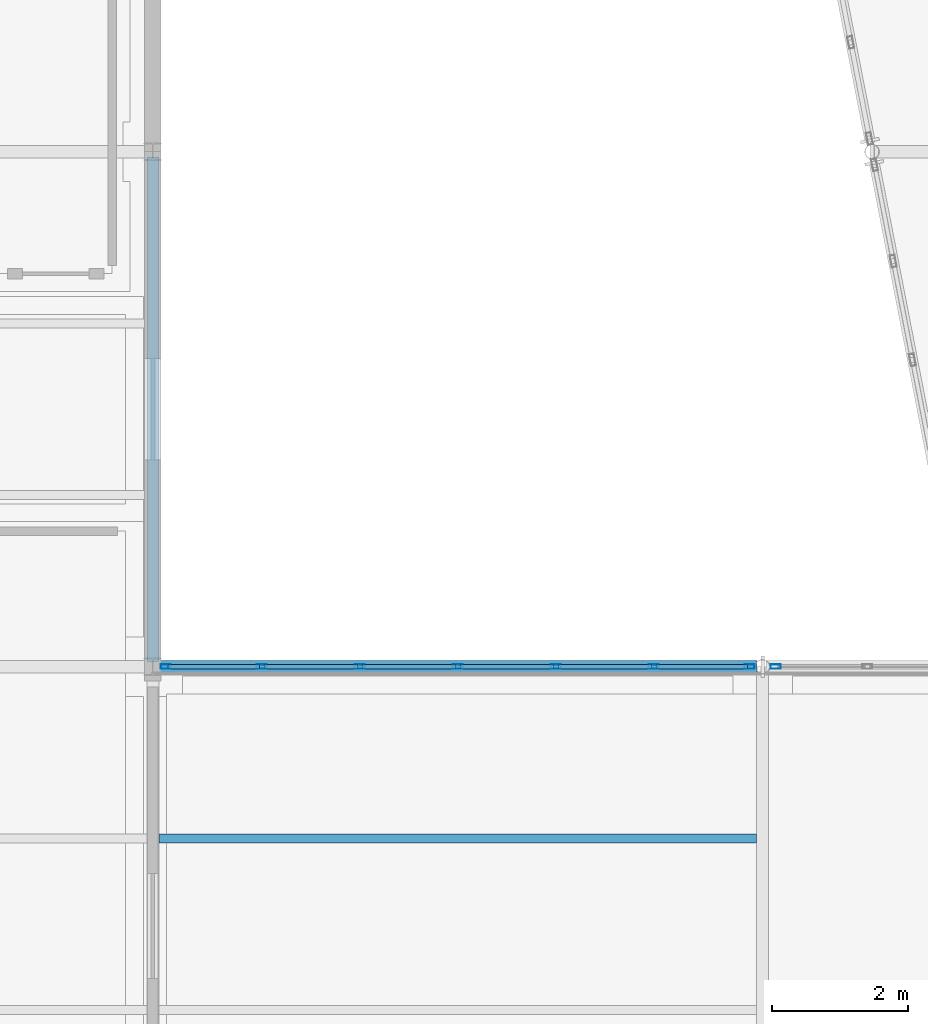
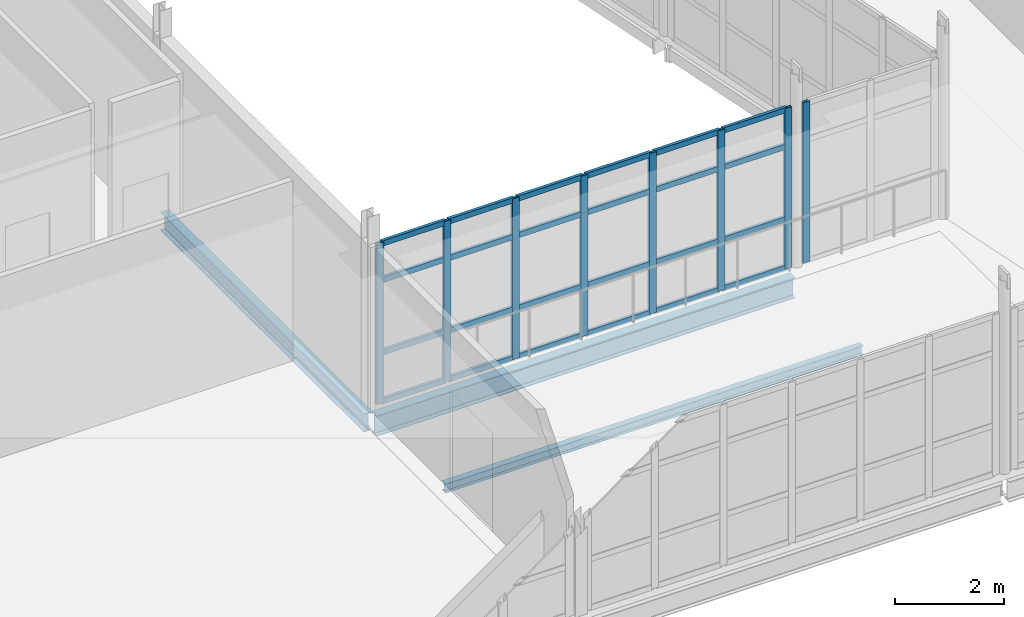
# One storey, part 91 of 166: 32 members, 3 beams, 2 elements without a shape of their own.
"""IFC4 building model written with IfcOpenShell, lengths in metres."""

import ifcopenshell
import ifcopenshell.guid

model = None  # the IFC model being written
_history = None  # IfcOwnerHistory: only IFC2X3 demands one
_inside = {}  # id of a spatial element -> (the spatial element, [elements in it])
_under = {}  # id of a project, library or spatial element -> (it, [spatial elements below it])
_declared = {}  # id of a project -> (the project, [libraries it declares])
_typed = {}  # id of a type object -> (the type object, [elements of that type])
_made_of = {}  # id of a material, layer set ... -> (it, [elements and type objects made of it])


def new_model(schema):
    """Start an empty IFC model of exactly this schema.

    Asked for "IFC4X3", IfcOpenShell would pick the latest addendum, in which some entities
    have other attributes; the version numbers below select the first issue.
    IFC2X3 requires an IfcOwnerHistory on every rooted entity: one is made here for all.
    """
    global model, _history
    if schema == "IFC4X3":
        model = ifcopenshell.file(schema_version=(4, 3, 0, 0))
    else:
        model = ifcopenshell.file(schema=schema)
    _inside.clear()
    _under.clear()
    _declared.clear()
    _typed.clear()
    _made_of.clear()
    _history = None
    if model.schema == "IFC2X3":
        org = make("IfcOrganization", Name="unknown")
        user = make(
            "IfcPersonAndOrganization",
            ThePerson=make("IfcPerson", FamilyName="unknown"),
            TheOrganization=org,
        )
        app = make(
            "IfcApplication",
            ApplicationDeveloper=org,
            Version="unknown",
            ApplicationFullName="unknown",
            ApplicationIdentifier="unknown",
        )
        _history = make(
            "IfcOwnerHistory",
            OwningUser=user,
            OwningApplication=app,
            ChangeAction="ADDED",
            CreationDate=0,
        )
    return model


def make(cls, **values):
    """One entity of the class cls with the attributes given. An attribute that is None is left unset."""
    return model.create_entity(
        cls, **{name: value for name, value in values.items() if value is not None}
    )


def rooted(cls, **values):
    """An entity with a GlobalId (a new one), such as an element, a storey or a relation."""
    return make(cls, GlobalId=ifcopenshell.guid.new(), OwnerHistory=_history, **values)


def si_unit(unit_type, name, prefix=None):
    """IfcSIUnit, for example si_unit("LENGTHUNIT", "METRE", prefix="MILLI")."""
    return make("IfcSIUnit", UnitType=unit_type, Prefix=prefix, Name=name)


def assignment(units):
    """IfcUnitAssignment: the units of a project."""
    return None if units is None else make("IfcUnitAssignment", Units=units)


def point(xyz):
    """IfcCartesianPoint."""
    return None if xyz is None else make("IfcCartesianPoint", Coordinates=xyz)


def direction(xyz):
    """IfcDirection."""
    return None if xyz is None else make("IfcDirection", DirectionRatios=xyz)


def frame(location, z_axis=None, x_axis=None):
    """IfcAxis2Placement3D, a coordinate frame: its origin and axes. An axis left out is left unset."""
    return make(
        "IfcAxis2Placement3D",
        Location=point(location),
        Axis=direction(z_axis),
        RefDirection=direction(x_axis),
    )


def frame_2d(location, x_axis=None):
    """IfcAxis2Placement2D, a coordinate frame in the plane: its origin and x axis."""
    return make(
        "IfcAxis2Placement2D", Location=point(location), RefDirection=direction(x_axis)
    )


def origin():
    """The frame at (0, 0, 0) with its axes left unset."""
    return frame((0.0, 0.0, 0.0))


def origin_2d():
    """The frame at (0, 0) in the plane with its x axis left unset."""
    return frame_2d((0.0, 0.0))


def place(relative_to, where):
    """IfcLocalPlacement: puts the frame where relative to a parent placement (None: the world)."""
    return make(
        "IfcLocalPlacement", PlacementRelTo=relative_to, RelativePlacement=where
    )


def context(
    kind, dimensions, precision=None, world=None, true_north=None, identifier=None
):
    """IfcGeometricRepresentationContext, for example the 3D "Model" context."""
    return make(
        "IfcGeometricRepresentationContext",
        ContextIdentifier=identifier,
        ContextType=kind,
        CoordinateSpaceDimension=dimensions,
        Precision=precision,
        WorldCoordinateSystem=world,
        TrueNorth=true_north,
    )


def subcontext(parent, identifier, kind, view, scale=None):
    """IfcGeometricRepresentationSubContext, for example "Body" below "Model"."""
    return make(
        "IfcGeometricRepresentationSubContext",
        ContextIdentifier=identifier,
        ContextType=kind,
        ParentContext=parent,
        TargetScale=scale,
        TargetView=view,
    )


def project(units=None, contexts=None):
    """IfcProject with its units and contexts."""
    return rooted(
        "IfcProject",
        Name="project",
        RepresentationContexts=contexts,
        UnitsInContext=assignment(units),
    )


def spatial(cls, under=None, at=None, **own):
    """A site, building, storey or space (cls), placed at a placement, below another one or the project."""
    s = rooted(cls, ObjectPlacement=at, **own)
    if under is not None:
        _under.setdefault(under.id(), (under, []))[1].append(s)
    return s


def profile(cls, at=None, kind="AREA", **sizes):
    """A parametric profile (cls). Its sizes go by their IFC names, for example OverallWidth=200.0."""
    return make(cls, ProfileType=kind, Position=at, **sizes)


def hollow_rectangle(**sizes):
    """IfcRectangleHollowProfileDef."""
    return profile("IfcRectangleHollowProfileDef", **sizes)


def i_section(**sizes):
    """IfcIShapeProfileDef."""
    return profile("IfcIShapeProfileDef", **sizes)


def extrude(swept, where, along, depth):
    """IfcExtrudedAreaSolid: the profile swept, set in the frame where, extruded along a direction by depth."""
    return make(
        "IfcExtrudedAreaSolid",
        SweptArea=swept,
        Position=where,
        ExtrudedDirection=direction(along),
        Depth=depth,
    )


def shape(context_of_items, identifier, shape_type, items):
    """IfcShapeRepresentation: the items that make up one representation, for example the "Body"."""
    return make(
        "IfcShapeRepresentation",
        ContextOfItems=context_of_items,
        RepresentationIdentifier=identifier,
        RepresentationType=shape_type,
        Items=items,
    )


def material(Name=None, Category=None):
    """IfcMaterial."""
    return make("IfcMaterial", Name=Name, Category=Category)


def material_profile(
    of_material, cross_section, Name=None, Category=None, Priority=None
):
    """IfcMaterialProfile: a cross section and its material."""
    return make(
        "IfcMaterialProfile",
        Name=Name,
        Material=of_material,
        Profile=cross_section,
        Priority=Priority,
        Category=Category,
    )


def profile_set(profiles, Name=None, composite=None):
    """IfcMaterialProfileSet."""
    return make(
        "IfcMaterialProfileSet",
        Name=Name,
        MaterialProfiles=profiles,
        CompositeProfile=composite,
    )


def made_of(thing, what):
    """Note that an element or type object is made of a material, layer set ...; save() writes the relation."""
    if what is not None:
        _made_of.setdefault(what.id(), (what, []))[1].append(thing)
    return thing


def type_object(cls, material=None, **own):
    """A type object (cls), such as IfcWallType, which elements share."""
    return made_of(rooted(cls, **own), material)


def element(
    cls,
    number,
    at=None,
    inside=None,
    cuts=None,
    type_object=None,
    material=None,
    context=None,
    identifier="Body",
    shape_type=None,
    held_by="IfcProductDefinitionShape",
    body=None,
    shapes=None,
    **own,
):
    """One element of the class cls, such as IfcWall. Its Tag is "e" and its number.

    at: its placement. inside: the storey or other place that contains it. cuts: it is an
    opening in that element (IfcRelVoidsElement). A single representation is given by context,
    identifier, shape_type and body (its items); several are given by shapes. held_by: the class
    of the entity that holds the representations. save() writes the other relations.
    """
    e = rooted(cls, Tag="e%d" % number, ObjectPlacement=at, **own)
    if body is not None:
        shapes = [shape(context, identifier, shape_type, body)]
    if shapes is not None:
        e.Representation = make(held_by, Representations=shapes)
    if inside is not None:
        _inside.setdefault(inside.id(), (inside, []))[1].append(e)
    if cuts is not None:
        rooted(
            "IfcRelVoidsElement", RelatingBuildingElement=cuts, RelatedOpeningElement=e
        )
    if type_object is not None:
        _typed.setdefault(type_object.id(), (type_object, []))[1].append(e)
    return made_of(e, material)


def aggregate(whole, parts):
    """IfcRelAggregates: a whole, such as a stair, and the parts it consists of."""
    return rooted("IfcRelAggregates", RelatingObject=whole, RelatedObjects=parts)


def save(model, path):
    """Write the relations noted so far, then the file.

    IfcRelAggregates (storeys below a building ...), IfcRelContainedInSpatialStructure (elements
    in a storey), IfcRelDefinesByType, IfcRelAssociatesMaterial and IfcRelDeclares: one each for
    every whole, place, type object, material and project.
    """
    for whole, parts in _under.values():
        aggregate(whole, parts)
    for where, things in _inside.values():
        rooted(
            "IfcRelContainedInSpatialStructure",
            RelatedElements=things,
            RelatingStructure=where,
        )
    for kind, things in _typed.values():
        rooted("IfcRelDefinesByType", RelatedObjects=things, RelatingType=kind)
    for what, things in _made_of.values():
        rooted("IfcRelAssociatesMaterial", RelatedObjects=things, RelatingMaterial=what)
    for by, libraries in _declared.values():
        rooted("IfcRelDeclares", RelatingContext=by, RelatedDefinitions=libraries)
    model.write(path)


model = new_model("IFC4")

# Units and contexts
model_context = context("Model", 3, precision=1e-05, world=origin(), true_north=direction((0.0, 1.0)))
body_context = subcontext(model_context, "Body", "Model", "MODEL_VIEW")
ifc_project = project(units=[si_unit("LENGTHUNIT", "METRE"), si_unit("AREAUNIT", "SQUARE_METRE"), si_unit("VOLUMEUNIT", "CUBIC_METRE"), si_unit("PLANEANGLEUNIT", "RADIAN"), si_unit("MASSUNIT", "GRAM", prefix="KILO")], contexts=[model_context])

# Site, building, storey
site_placement = place(None, origin())
site = spatial("IfcSite", under=ifc_project, at=site_placement, CompositionType="ELEMENT")
building_placement = place(site_placement, origin())
building = spatial("IfcBuilding", under=site, at=building_placement, Name="Caisbarro Railhouse Central Library", CompositionType="ELEMENT")
storey_placement = place(building_placement, frame((0.0, 0.0, 9.360107421875)))
storey = spatial("IfcBuildingStorey", under=building, at=storey_placement, Name="L02", CompositionType="ELEMENT", Elevation=9.360107421875)

# Beams
ifc_material_1 = material(Name="Steel ASTM A572 Grade 50", Category="steel")
ifc_material_profile_1 = material_profile(ifc_material_1, i_section(OverallWidth=0.177978515625, OverallDepth=0.406982421875, WebThickness=0.0078125, FlangeThickness=0.0126953125, FilletRadius=0.01611328125, at=origin_2d()), Name="W410X60.0")
ifc_profile_set_1 = profile_set([ifc_material_profile_1], Name="Steel ASTM A572 Grade 50")
beam_type_1 = type_object("IfcBeamType", Name="BM-G10", PredefinedType="BEAM", material=ifc_profile_set_1)
beam_1_placement = place(storey_placement, frame((99.0, 91.280029296875, -0.403564453125), z_axis=(0.0, 1.0, 0.0), x_axis=(-1.0, 0.0, 0.0)))
element("IfcBeam", 1, at=beam_1_placement, inside=storey, type_object=beam_type_1, Name="G10 beam L02 #1688", PredefinedType="BEAM", context=body_context, shape_type="SweptSolid", body=[
    extrude(i_section(OverallWidth=0.177978515625, OverallDepth=0.406982421875, WebThickness=0.0078125, FlangeThickness=0.0126953125, FilletRadius=0.01611328125, at=origin_2d()), origin(), (0.0, 0.0, 1.0), 7.43994140625),
])
ifc_material_profile_2 = material_profile(ifc_material_1, i_section(OverallWidth=0.133056640625, OverallDepth=0.20703125, WebThickness=0.005859375, FlangeThickness=0.00830078125, FilletRadius=0.010009765625, at=origin_2d()), Name="W200X26.6")
ifc_profile_set_2 = profile_set([ifc_material_profile_2], Name="Steel ASTM A572 Grade 50")
beam_type_2 = type_object("IfcBeamType", Name="BM-J07", PredefinedType="JOIST", material=ifc_profile_set_2)
beam_2_placement = place(storey_placement, frame((99.089111328125, 88.666748046875, -0.3037109375), z_axis=(1.0, 0.0, 0.0), x_axis=(0.0, 1.0, 0.0)))
element("IfcBeam", 2, at=beam_2_placement, inside=storey, type_object=beam_type_2, Name="J07 beam L02 #1736", PredefinedType="JOIST", context=body_context, shape_type="SweptSolid", body=[
    extrude(i_section(OverallWidth=0.133056640625, OverallDepth=0.20703125, WebThickness=0.005859375, FlangeThickness=0.00830078125, FilletRadius=0.010009765625, at=origin_2d()), origin(), (0.0, 0.0, 1.0), 8.82177734375),
])
ifc_material_profile_3 = material_profile(ifc_material_1, i_section(OverallWidth=0.18994140625, OverallDepth=0.45703125, WebThickness=0.009033203125, FlangeThickness=0.014404296875, FilletRadius=0.01806640625, at=origin_2d()), Name="W460X74.0")
ifc_profile_set_3 = profile_set([ifc_material_profile_3], Name="Steel ASTM A572 Grade 50")
beam_type_3 = type_object("IfcBeamType", Name="BM-SP01", PredefinedType="SPANDREL", material=ifc_profile_set_3)
beam_3_placement = place(storey_placement, frame((99.080078125, 91.199951171875, -0.4287109375), z_axis=(1.0, 0.0, 0.0), x_axis=(0.0, 1.0, 0.0)))
element("IfcBeam", 3, at=beam_3_placement, inside=storey, type_object=beam_type_3, Name="SP01 beam L02 #1733", PredefinedType="SPANDREL", context=body_context, shape_type="SweptSolid", body=[
    extrude(i_section(OverallWidth=0.18994140625, OverallDepth=0.45703125, WebThickness=0.009033203125, FlangeThickness=0.014404296875, FilletRadius=0.01806640625, at=origin_2d()), origin(), (0.0, 0.0, 1.0), 8.83984375),
])

# Curtain wall, members
ifc_material_2 = material(Name="Anodised architectural aluminium", Category="aluminium")
curtain_wall_type = type_object("IfcCurtainWallType", Name="CW-CW03", PredefinedType="NOTDEFINED", material=ifc_material_2)
curtain_wall_1_placement = place(storey_placement, origin())
curtain_wall_1 = element("IfcCurtainWall", 4, at=curtain_wall_1_placement, inside=storey, type_object=curtain_wall_type, Name="CW03 curtain wall L02 #210", PredefinedType="NOTDEFINED")
ifc_material_profile_4 = material_profile(ifc_material_2, hollow_rectangle(XDim=0.06494140625, YDim=0.14990234375, WallThickness=0.00390625, at=origin_2d()), Name="ALU-MUL-65X150")
ifc_profile_set_4 = profile_set([ifc_material_profile_4], Name="Anodised architectural aluminium")
member_type_1 = type_object("IfcMemberType", Name="CWM-M02", PredefinedType="MULLION", material=ifc_profile_set_4)
member_1_placement = place(storey_placement, frame((99.1923828125, 91.199951171875, 0.0), z_axis=(0.0, 0.0, 1.0), x_axis=(0.0, 1.0, 0.0)))
member_1 = element("IfcMember", 5, at=member_1_placement, type_object=member_type_1, Name="CW03 mullion 1", PredefinedType="MULLION", context=body_context, shape_type="SweptSolid", body=[
    extrude(hollow_rectangle(XDim=0.06494140625, YDim=0.14990234375, WallThickness=0.00390625, at=origin_2d()), origin(), (0.0, 0.0, 1.0), 3.58984375),
])
member_2_placement = place(storey_placement, frame((100.606689453125, 91.199951171875, 0.0), z_axis=(0.0, 0.0, 1.0), x_axis=(0.0, 1.0, 0.0)))
member_2 = element("IfcMember", 6, at=member_2_placement, type_object=member_type_1, Name="CW03 mullion 2", PredefinedType="MULLION", context=body_context, shape_type="SweptSolid", body=[
    extrude(hollow_rectangle(XDim=0.06494140625, YDim=0.14990234375, WallThickness=0.00390625, at=origin_2d()), origin(), (0.0, 0.0, 1.0), 3.58984375),
])
member_3_placement = place(storey_placement, frame((102.05322265625, 91.199951171875, 0.0), z_axis=(0.0, 0.0, 1.0), x_axis=(0.0, 1.0, 0.0)))
member_3 = element("IfcMember", 7, at=member_3_placement, type_object=member_type_1, Name="CW03 mullion 3", PredefinedType="MULLION", context=body_context, shape_type="SweptSolid", body=[
    extrude(hollow_rectangle(XDim=0.06494140625, YDim=0.14990234375, WallThickness=0.00390625, at=origin_2d()), origin(), (0.0, 0.0, 1.0), 3.58984375),
])
member_4_placement = place(storey_placement, frame((103.5, 91.199951171875, 0.0), z_axis=(0.0, 0.0, 1.0), x_axis=(0.0, 1.0, 0.0)))
member_4 = element("IfcMember", 8, at=member_4_placement, type_object=member_type_1, Name="CW03 mullion 4", PredefinedType="MULLION", context=body_context, shape_type="SweptSolid", body=[
    extrude(hollow_rectangle(XDim=0.06494140625, YDim=0.14990234375, WallThickness=0.00390625, at=origin_2d()), origin(), (0.0, 0.0, 1.0), 3.58984375),
])
member_5_placement = place(storey_placement, frame((104.94677734375, 91.199951171875, 0.0), z_axis=(0.0, 0.0, 1.0), x_axis=(0.0, 1.0, 0.0)))
member_5 = element("IfcMember", 9, at=member_5_placement, type_object=member_type_1, Name="CW03 mullion 5", PredefinedType="MULLION", context=body_context, shape_type="SweptSolid", body=[
    extrude(hollow_rectangle(XDim=0.06494140625, YDim=0.14990234375, WallThickness=0.00390625, at=origin_2d()), origin(), (0.0, 0.0, 1.0), 3.58984375),
])
member_6_placement = place(storey_placement, frame((106.393310546875, 91.199951171875, 0.0), z_axis=(0.0, 0.0, 1.0), x_axis=(0.0, 1.0, 0.0)))
member_6 = element("IfcMember", 10, at=member_6_placement, type_object=member_type_1, Name="CW03 mullion 6", PredefinedType="MULLION", context=body_context, shape_type="SweptSolid", body=[
    extrude(hollow_rectangle(XDim=0.06494140625, YDim=0.14990234375, WallThickness=0.00390625, at=origin_2d()), origin(), (0.0, 0.0, 1.0), 3.58984375),
])
member_7_placement = place(storey_placement, frame((107.8076171875, 91.199951171875, 0.0), z_axis=(0.0, 0.0, 1.0), x_axis=(0.0, 1.0, 0.0)))
member_7 = element("IfcMember", 11, at=member_7_placement, type_object=member_type_1, Name="CW03 mullion 7", PredefinedType="MULLION", context=body_context, shape_type="SweptSolid", body=[
    extrude(hollow_rectangle(XDim=0.06494140625, YDim=0.14990234375, WallThickness=0.00390625, at=origin_2d()), origin(), (0.0, 0.0, 1.0), 3.58984375),
])

# Curtain wall, member
curtain_wall_2_placement = place(storey_placement, origin())
curtain_wall_2 = element("IfcCurtainWall", 12, at=curtain_wall_2_placement, inside=storey, type_object=curtain_wall_type, Name="CW03 curtain wall L02 #211", PredefinedType="NOTDEFINED")
member_8_placement = place(storey_placement, frame((108.1923828125, 91.199951171875, 0.0), z_axis=(0.0, 0.0, 1.0), x_axis=(0.0, 1.0, 0.0)))
member_8 = element("IfcMember", 13, at=member_8_placement, type_object=member_type_1, Name="CW03 mullion 1", PredefinedType="MULLION", context=body_context, shape_type="SweptSolid", body=[
    extrude(hollow_rectangle(XDim=0.06494140625, YDim=0.14990234375, WallThickness=0.00390625, at=origin_2d()), origin(), (0.0, 0.0, 1.0), 3.58984375),
])
aggregate(curtain_wall_2, [member_8])

# Member
ifc_material_profile_5 = material_profile(ifc_material_2, hollow_rectangle(XDim=0.06494140625, YDim=0.1201171875, WallThickness=0.00341796875, at=origin_2d()), Name="ALU-TRN-65X120")
ifc_profile_set_5 = profile_set([ifc_material_profile_5], Name="Anodised architectural aluminium")
member_type_2 = type_object("IfcMemberType", Name="CWT-T02", PredefinedType="USERDEFINED", material=ifc_profile_set_5)
member_9_placement = place(storey_placement, frame((99.22509765625, 91.199951171875, 0.032470703125), z_axis=(1.0, 0.0, 0.0), x_axis=(0.0, 1.0, 0.0)))
member_9 = element("IfcMember", 14, at=member_9_placement, type_object=member_type_2, Name="CW03 transom 1.1", ObjectType="TRANSOM", PredefinedType="USERDEFINED", context=body_context, shape_type="SweptSolid", body=[
    extrude(hollow_rectangle(XDim=0.06494140625, YDim=0.1201171875, WallThickness=0.00341796875, at=origin_2d()), origin(), (0.0, 0.0, 1.0), 1.34912109375),
])

member_10_placement = place(storey_placement, frame((99.22509765625, 91.199951171875, 1.119873046875), z_axis=(1.0, 0.0, 0.0), x_axis=(0.0, 1.0, 0.0)))
member_10 = element("IfcMember", 15, at=member_10_placement, type_object=member_type_2, Name="CW03 transom 1.2", ObjectType="TRANSOM", PredefinedType="USERDEFINED", context=body_context, shape_type="SweptSolid", body=[
    extrude(hollow_rectangle(XDim=0.06494140625, YDim=0.1201171875, WallThickness=0.00341796875, at=origin_2d()), origin(), (0.0, 0.0, 1.0), 1.34912109375),
])

member_11_placement = place(storey_placement, frame((99.22509765625, 91.199951171875, 2.739990234375), z_axis=(1.0, 0.0, 0.0), x_axis=(0.0, 1.0, 0.0)))
member_11 = element("IfcMember", 16, at=member_11_placement, type_object=member_type_2, Name="CW03 transom 1.3", ObjectType="TRANSOM", PredefinedType="USERDEFINED", context=body_context, shape_type="SweptSolid", body=[
    extrude(hollow_rectangle(XDim=0.06494140625, YDim=0.1201171875, WallThickness=0.00341796875, at=origin_2d()), origin(), (0.0, 0.0, 1.0), 1.34912109375),
])

member_12_placement = place(storey_placement, frame((99.22509765625, 91.199951171875, 3.557373046875), z_axis=(1.0, 0.0, 0.0), x_axis=(0.0, 1.0, 0.0)))
member_12 = element("IfcMember", 17, at=member_12_placement, type_object=member_type_2, Name="CW03 transom 1.4", ObjectType="TRANSOM", PredefinedType="USERDEFINED", context=body_context, shape_type="SweptSolid", body=[
    extrude(hollow_rectangle(XDim=0.06494140625, YDim=0.1201171875, WallThickness=0.00341796875, at=origin_2d()), origin(), (0.0, 0.0, 1.0), 1.34912109375),
])

member_13_placement = place(storey_placement, frame((100.63916015625, 91.199951171875, 0.032470703125), z_axis=(1.0, 0.0, 0.0), x_axis=(0.0, 1.0, 0.0)))
member_13 = element("IfcMember", 18, at=member_13_placement, type_object=member_type_2, Name="CW03 transom 2.1", ObjectType="TRANSOM", PredefinedType="USERDEFINED", context=body_context, shape_type="SweptSolid", body=[
    extrude(hollow_rectangle(XDim=0.06494140625, YDim=0.1201171875, WallThickness=0.00341796875, at=origin_2d()), origin(), (0.0, 0.0, 1.0), 1.381591796875),
])

member_14_placement = place(storey_placement, frame((100.63916015625, 91.199951171875, 1.119873046875), z_axis=(1.0, 0.0, 0.0), x_axis=(0.0, 1.0, 0.0)))
member_14 = element("IfcMember", 19, at=member_14_placement, type_object=member_type_2, Name="CW03 transom 2.2", ObjectType="TRANSOM", PredefinedType="USERDEFINED", context=body_context, shape_type="SweptSolid", body=[
    extrude(hollow_rectangle(XDim=0.06494140625, YDim=0.1201171875, WallThickness=0.00341796875, at=origin_2d()), origin(), (0.0, 0.0, 1.0), 1.381591796875),
])

member_15_placement = place(storey_placement, frame((100.63916015625, 91.199951171875, 2.739990234375), z_axis=(1.0, 0.0, 0.0), x_axis=(0.0, 1.0, 0.0)))
member_15 = element("IfcMember", 20, at=member_15_placement, type_object=member_type_2, Name="CW03 transom 2.3", ObjectType="TRANSOM", PredefinedType="USERDEFINED", context=body_context, shape_type="SweptSolid", body=[
    extrude(hollow_rectangle(XDim=0.06494140625, YDim=0.1201171875, WallThickness=0.00341796875, at=origin_2d()), origin(), (0.0, 0.0, 1.0), 1.381591796875),
])

member_16_placement = place(storey_placement, frame((100.63916015625, 91.199951171875, 3.557373046875), z_axis=(1.0, 0.0, 0.0), x_axis=(0.0, 1.0, 0.0)))
member_16 = element("IfcMember", 21, at=member_16_placement, type_object=member_type_2, Name="CW03 transom 2.4", ObjectType="TRANSOM", PredefinedType="USERDEFINED", context=body_context, shape_type="SweptSolid", body=[
    extrude(hollow_rectangle(XDim=0.06494140625, YDim=0.1201171875, WallThickness=0.00341796875, at=origin_2d()), origin(), (0.0, 0.0, 1.0), 1.381591796875),
])

member_17_placement = place(storey_placement, frame((102.0859375, 91.199951171875, 0.032470703125), z_axis=(1.0, 0.0, 0.0), x_axis=(0.0, 1.0, 0.0)))
member_17 = element("IfcMember", 22, at=member_17_placement, type_object=member_type_2, Name="CW03 transom 3.1", ObjectType="TRANSOM", PredefinedType="USERDEFINED", context=body_context, shape_type="SweptSolid", body=[
    extrude(hollow_rectangle(XDim=0.06494140625, YDim=0.1201171875, WallThickness=0.00341796875, at=origin_2d()), origin(), (0.0, 0.0, 1.0), 1.381591796875),
])

member_18_placement = place(storey_placement, frame((102.0859375, 91.199951171875, 1.119873046875), z_axis=(1.0, 0.0, 0.0), x_axis=(0.0, 1.0, 0.0)))
member_18 = element("IfcMember", 23, at=member_18_placement, type_object=member_type_2, Name="CW03 transom 3.2", ObjectType="TRANSOM", PredefinedType="USERDEFINED", context=body_context, shape_type="SweptSolid", body=[
    extrude(hollow_rectangle(XDim=0.06494140625, YDim=0.1201171875, WallThickness=0.00341796875, at=origin_2d()), origin(), (0.0, 0.0, 1.0), 1.381591796875),
])

member_19_placement = place(storey_placement, frame((102.0859375, 91.199951171875, 2.739990234375), z_axis=(1.0, 0.0, 0.0), x_axis=(0.0, 1.0, 0.0)))
member_19 = element("IfcMember", 24, at=member_19_placement, type_object=member_type_2, Name="CW03 transom 3.3", ObjectType="TRANSOM", PredefinedType="USERDEFINED", context=body_context, shape_type="SweptSolid", body=[
    extrude(hollow_rectangle(XDim=0.06494140625, YDim=0.1201171875, WallThickness=0.00341796875, at=origin_2d()), origin(), (0.0, 0.0, 1.0), 1.381591796875),
])

member_20_placement = place(storey_placement, frame((102.0859375, 91.199951171875, 3.557373046875), z_axis=(1.0, 0.0, 0.0), x_axis=(0.0, 1.0, 0.0)))
member_20 = element("IfcMember", 25, at=member_20_placement, type_object=member_type_2, Name="CW03 transom 3.4", ObjectType="TRANSOM", PredefinedType="USERDEFINED", context=body_context, shape_type="SweptSolid", body=[
    extrude(hollow_rectangle(XDim=0.06494140625, YDim=0.1201171875, WallThickness=0.00341796875, at=origin_2d()), origin(), (0.0, 0.0, 1.0), 1.381591796875),
])

member_21_placement = place(storey_placement, frame((103.532470703125, 91.199951171875, 0.032470703125), z_axis=(1.0, 0.0, 0.0), x_axis=(0.0, 1.0, 0.0)))
member_21 = element("IfcMember", 26, at=member_21_placement, type_object=member_type_2, Name="CW03 transom 4.1", ObjectType="TRANSOM", PredefinedType="USERDEFINED", context=body_context, shape_type="SweptSolid", body=[
    extrude(hollow_rectangle(XDim=0.06494140625, YDim=0.1201171875, WallThickness=0.00341796875, at=origin_2d()), origin(), (0.0, 0.0, 1.0), 1.381591796875),
])

member_22_placement = place(storey_placement, frame((103.532470703125, 91.199951171875, 1.119873046875), z_axis=(1.0, 0.0, 0.0), x_axis=(0.0, 1.0, 0.0)))
member_22 = element("IfcMember", 27, at=member_22_placement, type_object=member_type_2, Name="CW03 transom 4.2", ObjectType="TRANSOM", PredefinedType="USERDEFINED", context=body_context, shape_type="SweptSolid", body=[
    extrude(hollow_rectangle(XDim=0.06494140625, YDim=0.1201171875, WallThickness=0.00341796875, at=origin_2d()), origin(), (0.0, 0.0, 1.0), 1.381591796875),
])

member_23_placement = place(storey_placement, frame((103.532470703125, 91.199951171875, 2.739990234375), z_axis=(1.0, 0.0, 0.0), x_axis=(0.0, 1.0, 0.0)))
member_23 = element("IfcMember", 28, at=member_23_placement, type_object=member_type_2, Name="CW03 transom 4.3", ObjectType="TRANSOM", PredefinedType="USERDEFINED", context=body_context, shape_type="SweptSolid", body=[
    extrude(hollow_rectangle(XDim=0.06494140625, YDim=0.1201171875, WallThickness=0.00341796875, at=origin_2d()), origin(), (0.0, 0.0, 1.0), 1.381591796875),
])

member_24_placement = place(storey_placement, frame((103.532470703125, 91.199951171875, 3.557373046875), z_axis=(1.0, 0.0, 0.0), x_axis=(0.0, 1.0, 0.0)))
member_24 = element("IfcMember", 29, at=member_24_placement, type_object=member_type_2, Name="CW03 transom 4.4", ObjectType="TRANSOM", PredefinedType="USERDEFINED", context=body_context, shape_type="SweptSolid", body=[
    extrude(hollow_rectangle(XDim=0.06494140625, YDim=0.1201171875, WallThickness=0.00341796875, at=origin_2d()), origin(), (0.0, 0.0, 1.0), 1.381591796875),
])

member_25_placement = place(storey_placement, frame((104.979248046875, 91.199951171875, 0.032470703125), z_axis=(1.0, 0.0, 0.0), x_axis=(0.0, 1.0, 0.0)))
member_25 = element("IfcMember", 30, at=member_25_placement, type_object=member_type_2, Name="CW03 transom 5.1", ObjectType="TRANSOM", PredefinedType="USERDEFINED", context=body_context, shape_type="SweptSolid", body=[
    extrude(hollow_rectangle(XDim=0.06494140625, YDim=0.1201171875, WallThickness=0.00341796875, at=origin_2d()), origin(), (0.0, 0.0, 1.0), 1.381591796875),
])

member_26_placement = place(storey_placement, frame((104.979248046875, 91.199951171875, 1.119873046875), z_axis=(1.0, 0.0, 0.0), x_axis=(0.0, 1.0, 0.0)))
member_26 = element("IfcMember", 31, at=member_26_placement, type_object=member_type_2, Name="CW03 transom 5.2", ObjectType="TRANSOM", PredefinedType="USERDEFINED", context=body_context, shape_type="SweptSolid", body=[
    extrude(hollow_rectangle(XDim=0.06494140625, YDim=0.1201171875, WallThickness=0.00341796875, at=origin_2d()), origin(), (0.0, 0.0, 1.0), 1.381591796875),
])

member_27_placement = place(storey_placement, frame((104.979248046875, 91.199951171875, 2.739990234375), z_axis=(1.0, 0.0, 0.0), x_axis=(0.0, 1.0, 0.0)))
member_27 = element("IfcMember", 32, at=member_27_placement, type_object=member_type_2, Name="CW03 transom 5.3", ObjectType="TRANSOM", PredefinedType="USERDEFINED", context=body_context, shape_type="SweptSolid", body=[
    extrude(hollow_rectangle(XDim=0.06494140625, YDim=0.1201171875, WallThickness=0.00341796875, at=origin_2d()), origin(), (0.0, 0.0, 1.0), 1.381591796875),
])

member_28_placement = place(storey_placement, frame((104.979248046875, 91.199951171875, 3.557373046875), z_axis=(1.0, 0.0, 0.0), x_axis=(0.0, 1.0, 0.0)))
member_28 = element("IfcMember", 33, at=member_28_placement, type_object=member_type_2, Name="CW03 transom 5.4", ObjectType="TRANSOM", PredefinedType="USERDEFINED", context=body_context, shape_type="SweptSolid", body=[
    extrude(hollow_rectangle(XDim=0.06494140625, YDim=0.1201171875, WallThickness=0.00341796875, at=origin_2d()), origin(), (0.0, 0.0, 1.0), 1.381591796875),
])

member_29_placement = place(storey_placement, frame((106.42578125, 91.199951171875, 0.032470703125), z_axis=(1.0, 0.0, 0.0), x_axis=(0.0, 1.0, 0.0)))
member_29 = element("IfcMember", 34, at=member_29_placement, type_object=member_type_2, Name="CW03 transom 6.1", ObjectType="TRANSOM", PredefinedType="USERDEFINED", context=body_context, shape_type="SweptSolid", body=[
    extrude(hollow_rectangle(XDim=0.06494140625, YDim=0.1201171875, WallThickness=0.00341796875, at=origin_2d()), origin(), (0.0, 0.0, 1.0), 1.34912109375),
])

member_30_placement = place(storey_placement, frame((106.42578125, 91.199951171875, 1.119873046875), z_axis=(1.0, 0.0, 0.0), x_axis=(0.0, 1.0, 0.0)))
member_30 = element("IfcMember", 35, at=member_30_placement, type_object=member_type_2, Name="CW03 transom 6.2", ObjectType="TRANSOM", PredefinedType="USERDEFINED", context=body_context, shape_type="SweptSolid", body=[
    extrude(hollow_rectangle(XDim=0.06494140625, YDim=0.1201171875, WallThickness=0.00341796875, at=origin_2d()), origin(), (0.0, 0.0, 1.0), 1.34912109375),
])

member_31_placement = place(storey_placement, frame((106.42578125, 91.199951171875, 2.739990234375), z_axis=(1.0, 0.0, 0.0), x_axis=(0.0, 1.0, 0.0)))
member_31 = element("IfcMember", 36, at=member_31_placement, type_object=member_type_2, Name="CW03 transom 6.3", ObjectType="TRANSOM", PredefinedType="USERDEFINED", context=body_context, shape_type="SweptSolid", body=[
    extrude(hollow_rectangle(XDim=0.06494140625, YDim=0.1201171875, WallThickness=0.00341796875, at=origin_2d()), origin(), (0.0, 0.0, 1.0), 1.34912109375),
])

member_32_placement = place(storey_placement, frame((106.42578125, 91.199951171875, 3.557373046875), z_axis=(1.0, 0.0, 0.0), x_axis=(0.0, 1.0, 0.0)))
member_32 = element("IfcMember", 37, at=member_32_placement, type_object=member_type_2, Name="CW03 transom 6.4", ObjectType="TRANSOM", PredefinedType="USERDEFINED", context=body_context, shape_type="SweptSolid", body=[
    extrude(hollow_rectangle(XDim=0.06494140625, YDim=0.1201171875, WallThickness=0.00341796875, at=origin_2d()), origin(), (0.0, 0.0, 1.0), 1.34912109375),
])

aggregate(curtain_wall_1, [member_1, member_2, member_3, member_4, member_5, member_6, member_7, member_9, member_10, member_11, member_12, member_13, member_14, member_15, member_16, member_17, member_18, member_19, member_20, member_21, member_22, member_23, member_24, member_25, member_26, member_27, member_28, member_29, member_30, member_31, member_32])

save(model, "model.ifc")
